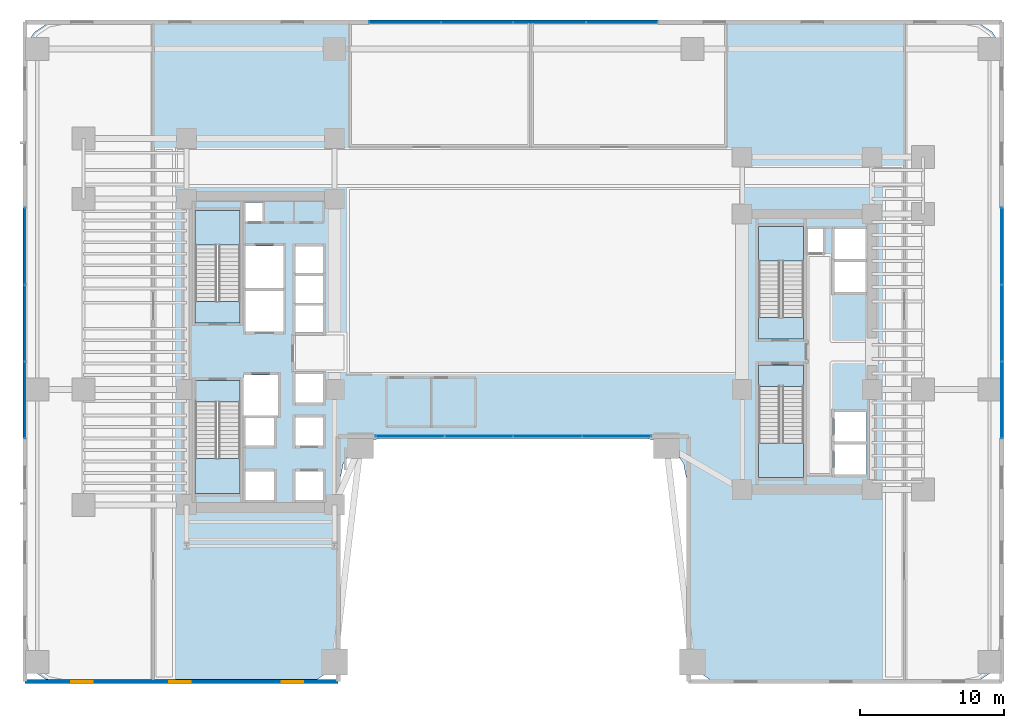
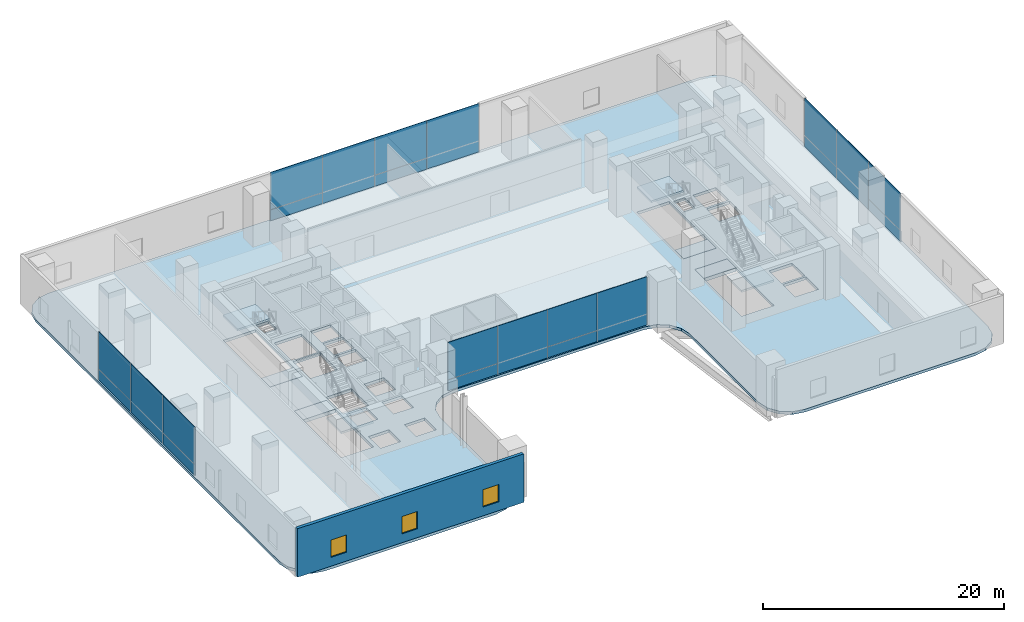
# One storey, part 25 of 39: 22 plates, 9 slabs, 3 windows, 1 wall, 3 openings, 8 elements without a shape of their own.
"""IFC4 building model written with IfcOpenShell, lengths in metres."""

from ifc_helpers import new_model, si_unit, direction, frame, frame_2d, origin, origin_2d, place, context, subcontext, project, spatial, polyline, rectangle, outline, extrude, source, transform, mapped, material, layer, layer_set, type_object, element, fill, aggregate, save


model = new_model("IFC4")

# Units and contexts
model_context = context("Model", 3, precision=1e-05, world=origin(), true_north=direction((0.0, 1.0)))
body_context = subcontext(model_context, "Body", "Model", "MODEL_VIEW")
ifc_project = project(units=[si_unit("LENGTHUNIT", "METRE"), si_unit("AREAUNIT", "SQUARE_METRE"), si_unit("VOLUMEUNIT", "CUBIC_METRE"), si_unit("PLANEANGLEUNIT", "RADIAN"), si_unit("MASSUNIT", "GRAM", prefix="KILO")], contexts=[model_context])

# Site, building, storey
site_placement = place(None, origin())
site = spatial("IfcSite", under=ifc_project, at=site_placement, CompositionType="ELEMENT")
building_placement = place(site_placement, origin())
building = spatial("IfcBuilding", under=site, at=building_placement, Name="Valdorenza Pilgrim Sanctuary Tower", CompositionType="ELEMENT")
storey_placement = place(building_placement, frame((0.0, 0.0, 5.199951171875)))
storey = spatial("IfcBuildingStorey", under=building, at=storey_placement, Name="L01", CompositionType="ELEMENT", Elevation=5.199951171875)

# Slab
ifc_material_1 = material(Name="Concrete C40/50", Category="concrete")
ifc_layer_1 = layer(ifc_material_1, 0.280029296875, Name="Concrete C40/50")
ifc_layer_set_1 = layer_set([ifc_layer_1], Name="Concrete C40/50")
slab_type_1 = type_object("IfcSlabType", Name="SLAB-POD-280", PredefinedType="FLOOR", material=ifc_layer_set_1)
slab_1_placement = place(storey_placement, frame((0.0, 0.0, -0.280029296875)))
element("IfcSlab", 1, at=slab_1_placement, inside=storey, type_object=slab_type_1, Name="L01 Structural Floor Slab 1", PredefinedType="FLOOR", context=body_context, shape_type="SweptSolid", body=[
    extrude(outline(polyline([(-34.0, 20.199951171875), (-33.786865234375, 21.271484375), (-33.179931640625, 22.179931640625), (-32.271484375, 22.786865234375), (-31.199951171875, 23.0), (31.199951171875, 23.0), (32.271484375, 22.786865234375), (33.179931640625, 22.179931640625), (33.786865234375, 21.271484375), (34.0, 20.199951171875), (34.0, -20.199951171875), (33.786865234375, -21.271484375), (33.179931640625, -22.179931640625), (32.271484375, -22.786865234375), (31.199951171875, -23.0), (14.800048828125, -23.0), (13.728515625, -22.786865234375), (12.820068359375, -22.179931640625), (12.213134765625, -21.271484375), (12.0, -20.199951171875), (12.0, -8.800048828125), (11.786865234375, -7.728515625), (11.179931640625, -6.820068359375), (10.271484375, -6.213134765625), (9.199951171875, -6.0), (-9.199951171875, -6.0), (-10.271484375, -6.213134765625), (-11.179931640625, -6.820068359375), (-11.786865234375, -7.728515625), (-12.0, -8.800048828125), (-12.0, -20.199951171875), (-12.213134765625, -21.271484375), (-12.820068359375, -22.179931640625), (-13.728515625, -22.786865234375), (-14.800048828125, -23.0), (-31.199951171875, -23.0), (-32.271484375, -22.786865234375), (-33.179931640625, -22.179931640625), (-33.786865234375, -21.271484375), (-34.0, -20.199951171875), (-34.0, 20.199951171875)]), holes=[polyline([(-16.60009765625, -10.25), (-16.60009765625, -8.300048828125), (-18.550048828125, -8.300048828125), (-18.550048828125, -10.25), (-16.60009765625, -10.25)]), polyline([(-22.050048828125, -9.800048828125), (-18.93994140625, -9.800048828125), (-18.93994140625, -3.485107421875), (-18.93994140625, -2.0), (-22.050048828125, -2.0), (-22.050048828125, -3.485107421875), (-22.050048828125, -9.800048828125)]), polyline([(-18.550048828125, -6.5), (-16.60009765625, -6.5), (-16.60009765625, -4.60009765625), (-18.550048828125, -4.60009765625), (-18.550048828125, -6.5)]), polyline([(-13.179931640625, -6.5), (-13.179931640625, -4.550048828125), (-15.10009765625, -4.550048828125), (-15.10009765625, -6.5), (-13.179931640625, -6.5)]), polyline([(-18.719970703125, -4.39990234375), (-16.300048828125, -4.39990234375), (-16.300048828125, -1.60009765625), (-18.719970703125, -1.60009765625), (-18.719970703125, -4.39990234375)]), polyline([(-13.179931640625, -3.5), (-13.179931640625, -1.550048828125), (-15.10009765625, -1.550048828125), (-15.10009765625, -3.5), (-13.179931640625, -3.5)]), polyline([(-22.050048828125, 2.0), (-18.93994140625, 2.0), (-18.93994140625, 3.485107421875), (-18.93994140625, 9.800048828125), (-22.050048828125, 9.800048828125), (-22.050048828125, 3.485107421875), (-22.050048828125, 2.0)]), polyline([(-18.550048828125, 1.39990234375), (-15.949951171875, 1.39990234375), (-15.949951171875, 4.22509765625), (-18.550048828125, 4.22509765625), (-18.550048828125, 1.39990234375)]), polyline([(-15.949951171875, 4.425048828125), (-15.949951171875, 7.35009765625), (-18.550048828125, 7.35009765625), (-18.550048828125, 4.425048828125), (-15.949951171875, 4.425048828125)]), polyline([(-15.10009765625, 5.449951171875), (-13.179931640625, 5.449951171875), (-13.179931640625, 7.300048828125), (-15.10009765625, 7.300048828125), (-15.10009765625, 5.449951171875)]), polyline([(-17.360107421875, 9.030029296875), (-17.360107421875, 10.35009765625), (-18.570068359375, 10.35009765625), (-18.570068359375, 9.030029296875), (-17.360107421875, 9.030029296875)]), polyline([(-15.10009765625, -10.25), (-13.179931640625, -10.25), (-13.179931640625, -8.300048828125), (-15.10009765625, -8.300048828125), (-15.10009765625, -10.25)]), polyline([(22.25, -8.5), (24.47998046875, -8.5), (24.47998046875, -6.425048828125), (22.25, -6.425048828125), (22.25, -8.5)]), polyline([(17.0, -2.385009765625), (17.0, -8.699951171875), (20.110107421875, -8.699951171875), (20.110107421875, -2.385009765625), (20.110107421875, -0.89990234375), (17.0, -0.89990234375), (17.0, -2.385009765625)]), polyline([(22.25, -6.22509765625), (24.47998046875, -6.22509765625), (24.47998046875, -4.14990234375), (22.25, -4.14990234375), (22.25, -6.22509765625)]), polyline([(17.0, 0.89990234375), (20.110107421875, 0.89990234375), (20.110107421875, 2.385009765625), (20.110107421875, 8.699951171875), (17.0, 8.699951171875), (17.0, 2.385009765625), (17.0, 0.89990234375)]), polyline([(-15.10009765625, 1.35009765625), (-13.179931640625, 1.35009765625), (-13.179931640625, 3.199951171875), (-15.10009765625, 3.199951171875), (-15.10009765625, 1.35009765625)]), polyline([(-15.10009765625, 3.39990234375), (-13.179931640625, 3.39990234375), (-13.179931640625, 5.25), (-15.10009765625, 5.25), (-15.10009765625, 3.39990234375)]), polyline([(22.25, 4.14990234375), (24.47998046875, 4.14990234375), (24.47998046875, 6.22509765625), (22.25, 6.22509765625), (22.25, 4.14990234375)]), polyline([(22.25, 6.425048828125), (24.47998046875, 6.425048828125), (24.47998046875, 8.5), (22.25, 8.5), (22.25, 6.425048828125)]), polyline([(20.409912109375, 6.860107421875), (21.489990234375, 6.860107421875), (21.489990234375, 8.52001953125), (20.409912109375, 8.52001953125), (20.409912109375, 6.860107421875)])]), origin(), (0.0, 0.0, 1.0), 0.280029296875),
])

# Stair, slab
stair_type = type_object("IfcStairType", Name="STR-DOG-CORE", PredefinedType="HALF_TURN_STAIR", material=ifc_material_1)
stair_1_placement = place(storey_placement, origin())
stair_1 = element("IfcStair", 2, at=stair_1_placement, inside=storey, type_object=stair_type, Name="L01 ST-A1", PredefinedType="HALF_TURN_STAIR")
ifc_layer_2 = layer(ifc_material_1, 0.199951171875, Name="Concrete C40/50")
ifc_layer_set_2 = layer_set([ifc_layer_2], Name="Concrete C40/50")
slab_type_2 = type_object("IfcSlabType", Name="SLAB-STL-200", PredefinedType="LANDING", material=ifc_layer_set_2)
slab_2_placement = place(storey_placement, frame((0.0, 0.0, 2.400146484375)))
slab_2 = element("IfcSlab", 3, at=slab_2_placement, type_object=slab_type_2, Name="ST-A1 landing 1", PredefinedType="LANDING", context=body_context, shape_type="SweptSolid", body=[
    extrude(outline(polyline([(-18.93994140625, 7.39990234375), (-18.93994140625, 9.800048828125), (-22.050048828125, 9.800048828125), (-22.050048828125, 7.39990234375), (-18.93994140625, 7.39990234375)])), origin(), (0.0, 0.0, 1.0), 0.199951171875),
])
aggregate(stair_1, [slab_2])

stair_2_placement = place(storey_placement, origin())
stair_2 = element("IfcStair", 4, at=stair_2_placement, inside=storey, type_object=stair_type, Name="L01 ST-A2", PredefinedType="HALF_TURN_STAIR")
slab_3_placement = place(storey_placement, frame((0.0, 0.0, 2.400146484375)))
slab_3 = element("IfcSlab", 5, at=slab_3_placement, type_object=slab_type_2, Name="ST-A2 landing 1", PredefinedType="LANDING", context=body_context, shape_type="SweptSolid", body=[
    extrude(outline(polyline([(-22.050048828125, -7.39990234375), (-22.050048828125, -9.800048828125), (-18.93994140625, -9.800048828125), (-18.93994140625, -7.39990234375), (-22.050048828125, -7.39990234375)])), origin(), (0.0, 0.0, 1.0), 0.199951171875),
])
aggregate(stair_2, [slab_3])

stair_3_placement = place(storey_placement, origin())
stair_3 = element("IfcStair", 6, at=stair_3_placement, inside=storey, type_object=stair_type, Name="L01 ST-B1", PredefinedType="HALF_TURN_STAIR")
slab_4_placement = place(storey_placement, frame((0.0, 0.0, 2.400146484375)))
slab_4 = element("IfcSlab", 7, at=slab_4_placement, type_object=slab_type_2, Name="ST-B1 landing 1", PredefinedType="LANDING", context=body_context, shape_type="SweptSolid", body=[
    extrude(outline(polyline([(20.110107421875, 6.300048828125), (20.110107421875, 8.699951171875), (17.0, 8.699951171875), (17.0, 6.300048828125), (20.110107421875, 6.300048828125)])), origin(), (0.0, 0.0, 1.0), 0.199951171875),
])
aggregate(stair_3, [slab_4])

stair_4_placement = place(storey_placement, origin())
stair_4 = element("IfcStair", 8, at=stair_4_placement, inside=storey, type_object=stair_type, Name="L01 ST-B2", PredefinedType="HALF_TURN_STAIR")
slab_5_placement = place(storey_placement, frame((0.0, 0.0, 2.400146484375)))
slab_5 = element("IfcSlab", 9, at=slab_5_placement, type_object=slab_type_2, Name="ST-B2 landing 1", PredefinedType="LANDING", context=body_context, shape_type="SweptSolid", body=[
    extrude(outline(polyline([(17.0, -6.300048828125), (17.0, -8.699951171875), (20.110107421875, -8.699951171875), (20.110107421875, -6.300048828125), (17.0, -6.300048828125)])), origin(), (0.0, 0.0, 1.0), 0.199951171875),
])
aggregate(stair_4, [slab_5])

# Slabs
ifc_material_2 = material(Name="Concrete C50/60", Category="concrete")
ifc_layer_3 = layer(ifc_material_2, 0.39990234375, Name="Concrete C50/60")
ifc_layer_set_3 = layer_set([ifc_layer_3], Name="Concrete C50/60")
slab_type_3 = type_object("IfcSlabType", Name="SLAB-TRF-400", PredefinedType="FLOOR", material=ifc_layer_set_3)
slab_6_placement = place(storey_placement, frame((0.0, 0.0, -0.35986328125)))
element("IfcSlab", 10, at=slab_6_placement, inside=storey, type_object=slab_type_3, Name="L01 ST-A1 Structural Stair Landing Bearing Slab", PredefinedType="FLOOR", context=body_context, shape_type="SweptSolid", body=[
    extrude(outline(polyline([(-22.050048828125, 2.0), (-18.93994140625, 2.0), (-18.93994140625, 3.485107421875), (-22.050048828125, 3.485107421875), (-22.050048828125, 2.0)])), origin(), (0.0, 0.0, 1.0), 0.35986328125),
])
slab_7_placement = place(storey_placement, frame((0.0, 0.0, -0.35986328125)))
element("IfcSlab", 11, at=slab_7_placement, inside=storey, type_object=slab_type_3, Name="L01 ST-A2 Structural Stair Landing Bearing Slab", PredefinedType="FLOOR", context=body_context, shape_type="SweptSolid", body=[
    extrude(outline(polyline([(-22.050048828125, -3.485107421875), (-18.93994140625, -3.485107421875), (-18.93994140625, -2.0), (-22.050048828125, -2.0), (-22.050048828125, -3.485107421875)])), origin(), (0.0, 0.0, 1.0), 0.35986328125),
])
slab_8_placement = place(storey_placement, frame((0.0, 0.0, -0.35986328125)))
element("IfcSlab", 12, at=slab_8_placement, inside=storey, type_object=slab_type_3, Name="L01 ST-B1 Structural Stair Landing Bearing Slab", PredefinedType="FLOOR", context=body_context, shape_type="SweptSolid", body=[
    extrude(outline(polyline([(17.0, 0.89990234375), (20.110107421875, 0.89990234375), (20.110107421875, 2.385009765625), (17.0, 2.385009765625), (17.0, 0.89990234375)])), origin(), (0.0, 0.0, 1.0), 0.35986328125),
])
slab_9_placement = place(storey_placement, frame((0.0, 0.0, -0.35986328125)))
element("IfcSlab", 13, at=slab_9_placement, inside=storey, type_object=slab_type_3, Name="L01 ST-B2 Structural Stair Landing Bearing Slab", PredefinedType="FLOOR", context=body_context, shape_type="SweptSolid", body=[
    extrude(outline(polyline([(17.0, -2.385009765625), (20.110107421875, -2.385009765625), (20.110107421875, -0.89990234375), (17.0, -0.89990234375), (17.0, -2.385009765625)])), origin(), (0.0, 0.0, 1.0), 0.35986328125),
])

# Curtain wall, plates
ifc_material_3 = material(Name="Curtain-wall IGU glazing", Category="glass")
curtain_wall_type = type_object("IfcCurtainWallType", Name="CW-SYS-01", PredefinedType="NOTDEFINED", material=ifc_material_3)
curtain_wall_1_placement = place(storey_placement, origin())
curtain_wall_1 = element("IfcCurtainWall", 14, at=curtain_wall_1_placement, inside=storey, type_object=curtain_wall_type, Name="L01 Curtain Wall CW-POD-L01-WW", PredefinedType="NOTDEFINED")
ifc_material_4 = material(Name="Honed travertine limestone", Category="masonry")
ifc_layer_4 = layer(ifc_material_4, 0.050048828125, Name="Honed travertine limestone")
ifc_layer_set_4 = layer_set([ifc_layer_4], Name="Honed travertine limestone")
plate_type_1 = type_object("IfcPlateType", Name="CW-SPN-TRV", PredefinedType="USERDEFINED", material=ifc_layer_set_4)
shared_shape_1 = source(origin(), body_context, "Body", "SweptSolid", [
    extrude(rectangle(XDim=5.313232421875, YDim=0.06005859375, at=origin_2d()), origin(), (0.0, 0.0, 1.0), 1.10009765625),
])
plate_1_placement = place(storey_placement, frame((-33.85009765625, -3.333251953125, 0.010009765625), z_axis=(0.0, 0.0, 1.0), x_axis=(0.0, 1.0, 0.0)))
plate_1 = element("IfcPlate", 15, at=plate_1_placement, type_object=plate_type_1, Name="CW-POD-L01-WW Travertine Spandrel 1", ObjectType="SPANDREL", PredefinedType="USERDEFINED", context=body_context, shape_type="MappedRepresentation", body=[
    mapped(shared_shape_1, transform((0.0, 0.0, 0.0), x_axis=(1.0, 0.0, 0.0), y_axis=(0.0, 1.0, 0.0), z_axis=(0.0, 0.0, 1.0), scale=1.0)),
])
plate_2_placement = place(storey_placement, frame((-33.85009765625, 7.333251953125, 0.010009765625), z_axis=(0.0, 0.0, 1.0), x_axis=(0.0, 1.0, 0.0)))
plate_2 = element("IfcPlate", 16, at=plate_2_placement, type_object=plate_type_1, Name="CW-POD-L01-WW Travertine Spandrel 3", ObjectType="SPANDREL", PredefinedType="USERDEFINED", context=body_context, shape_type="MappedRepresentation", body=[
    mapped(shared_shape_1, transform((0.0, 0.0, 0.0), x_axis=(1.0, 0.0, 0.0), y_axis=(0.0, 1.0, 0.0), z_axis=(0.0, 0.0, 1.0), scale=1.0)),
])

curtain_wall_2_placement = place(storey_placement, origin())
curtain_wall_2 = element("IfcCurtainWall", 17, at=curtain_wall_2_placement, inside=storey, type_object=curtain_wall_type, Name="L01 Curtain Wall CW-POD-L01-EE", PredefinedType="NOTDEFINED")
plate_3_placement = place(storey_placement, frame((33.85009765625, -3.333251953125, 0.010009765625), z_axis=(0.0, 0.0, 1.0), x_axis=(0.0, 1.0, 0.0)))
plate_3 = element("IfcPlate", 18, at=plate_3_placement, type_object=plate_type_1, Name="CW-POD-L01-EE Travertine Spandrel 1", ObjectType="SPANDREL", PredefinedType="USERDEFINED", context=body_context, shape_type="MappedRepresentation", body=[
    mapped(shared_shape_1, transform((0.0, 0.0, 0.0), x_axis=(1.0, 0.0, 0.0), y_axis=(0.0, 1.0, 0.0), z_axis=(0.0, 0.0, 1.0), scale=1.0)),
])
plate_4_placement = place(storey_placement, frame((33.85009765625, 7.333251953125, 0.010009765625), z_axis=(0.0, 0.0, 1.0), x_axis=(0.0, 1.0, 0.0)))
plate_4 = element("IfcPlate", 19, at=plate_4_placement, type_object=plate_type_1, Name="CW-POD-L01-EE Travertine Spandrel 3", ObjectType="SPANDREL", PredefinedType="USERDEFINED", context=body_context, shape_type="MappedRepresentation", body=[
    mapped(shared_shape_1, transform((0.0, 0.0, 0.0), x_axis=(1.0, 0.0, 0.0), y_axis=(0.0, 1.0, 0.0), z_axis=(0.0, 0.0, 1.0), scale=1.0)),
])

# Plate
ifc_material_5 = material(Name="Ceramic-fritted low-E IGU glazing", Category="glass")
ifc_layer_5 = layer(ifc_material_5, 0.035888671875, Name="Ceramic-fritted low-E IGU glazing")
ifc_layer_set_5 = layer_set([ifc_layer_5], Name="Ceramic-fritted low-E IGU glazing")
plate_type_2 = type_object("IfcPlateType", Name="CW-GLZ-IGU", PredefinedType="USERDEFINED", material=ifc_layer_set_5)
shared_shape_2 = source(origin(), body_context, "Body", "SweptSolid", [
    extrude(rectangle(XDim=5.313232421875, YDim=0.050048828125, at=origin_2d()), origin(), (0.0, 0.0, 1.0), 3.780029296875),
])
plate_5_placement = place(storey_placement, frame((-33.85009765625, -3.333251953125, 1.1298828125), z_axis=(0.0, 0.0, 1.0), x_axis=(0.0, 1.0, 0.0)))
plate_5 = element("IfcPlate", 20, at=plate_5_placement, type_object=plate_type_2, Name="CW-POD-L01-WW Facade Panel 1", ObjectType="GLAZING", PredefinedType="USERDEFINED", context=body_context, shape_type="MappedRepresentation", body=[
    mapped(shared_shape_2, transform((0.0, 0.0, 0.0), x_axis=(1.0, 0.0, 0.0), y_axis=(0.0, 1.0, 0.0), z_axis=(0.0, 0.0, 1.0), scale=1.0)),
])

plate_6_placement = place(storey_placement, frame((-33.85009765625, 7.333251953125, 1.1298828125), z_axis=(0.0, 0.0, 1.0), x_axis=(0.0, 1.0, 0.0)))
plate_6 = element("IfcPlate", 21, at=plate_6_placement, type_object=plate_type_2, Name="CW-POD-L01-WW Facade Panel 3", ObjectType="GLAZING", PredefinedType="USERDEFINED", context=body_context, shape_type="MappedRepresentation", body=[
    mapped(shared_shape_2, transform((0.0, 0.0, 0.0), x_axis=(1.0, 0.0, 0.0), y_axis=(0.0, 1.0, 0.0), z_axis=(0.0, 0.0, 1.0), scale=1.0)),
])

plate_7_placement = place(storey_placement, frame((33.85009765625, -3.333251953125, 1.1298828125), z_axis=(0.0, 0.0, 1.0), x_axis=(0.0, 1.0, 0.0)))
plate_7 = element("IfcPlate", 22, at=plate_7_placement, type_object=plate_type_2, Name="CW-POD-L01-EE Facade Panel 1", ObjectType="GLAZING", PredefinedType="USERDEFINED", context=body_context, shape_type="MappedRepresentation", body=[
    mapped(shared_shape_2, transform((0.0, 0.0, 0.0), x_axis=(1.0, 0.0, 0.0), y_axis=(0.0, 1.0, 0.0), z_axis=(0.0, 0.0, 1.0), scale=1.0)),
])

plate_8_placement = place(storey_placement, frame((33.85009765625, 7.333251953125, 1.1298828125), z_axis=(0.0, 0.0, 1.0), x_axis=(0.0, 1.0, 0.0)))
plate_8 = element("IfcPlate", 23, at=plate_8_placement, type_object=plate_type_2, Name="CW-POD-L01-EE Facade Panel 3", ObjectType="GLAZING", PredefinedType="USERDEFINED", context=body_context, shape_type="MappedRepresentation", body=[
    mapped(shared_shape_2, transform((0.0, 0.0, 0.0), x_axis=(1.0, 0.0, 0.0), y_axis=(0.0, 1.0, 0.0), z_axis=(0.0, 0.0, 1.0), scale=1.0)),
])

shared_shape_3 = source(origin(), body_context, "Body", "SweptSolid", [
    extrude(rectangle(XDim=5.313232421875, YDim=0.050048828125, at=origin_2d()), origin(), (0.0, 0.0, 1.0), 4.89990234375),
])
plate_9_placement = place(storey_placement, frame((-33.85009765625, 2.0, 0.010009765625), z_axis=(0.0, 0.0, 1.0), x_axis=(0.0, 1.0, 0.0)))
plate_9 = element("IfcPlate", 24, at=plate_9_placement, type_object=plate_type_2, Name="CW-POD-L01-WW Full-Height Facade Panel 2", ObjectType="GLAZING", PredefinedType="USERDEFINED", context=body_context, shape_type="MappedRepresentation", body=[
    mapped(shared_shape_3, transform((0.0, 0.0, 0.0), x_axis=(1.0, 0.0, 0.0), y_axis=(0.0, 1.0, 0.0), z_axis=(0.0, 0.0, 1.0), scale=1.0)),
])

aggregate(curtain_wall_1, [plate_1, plate_5, plate_9, plate_2, plate_6])

plate_10_placement = place(storey_placement, frame((33.85009765625, 2.0, 0.010009765625), z_axis=(0.0, 0.0, 1.0), x_axis=(0.0, 1.0, 0.0)))
plate_10 = element("IfcPlate", 25, at=plate_10_placement, type_object=plate_type_2, Name="CW-POD-L01-EE Full-Height Facade Panel 2", ObjectType="GLAZING", PredefinedType="USERDEFINED", context=body_context, shape_type="MappedRepresentation", body=[
    mapped(shared_shape_3, transform((0.0, 0.0, 0.0), x_axis=(1.0, 0.0, 0.0), y_axis=(0.0, 1.0, 0.0), z_axis=(0.0, 0.0, 1.0), scale=1.0)),
])

aggregate(curtain_wall_2, [plate_3, plate_7, plate_10, plate_4, plate_8])

# Curtain wall, plates
curtain_wall_3_placement = place(storey_placement, origin())
curtain_wall_3 = element("IfcCurtainWall", 26, at=curtain_wall_3_placement, inside=storey, type_object=curtain_wall_type, Name="L01 Curtain Wall CW-POD-L01-ARCH-BACK", PredefinedType="NOTDEFINED")
shared_shape_4 = source(origin(), body_context, "Body", "SweptSolid", [
    extrude(rectangle(XDim=4.7548828125, YDim=0.06005859375, at=origin_2d()), origin(), (0.0, 0.0, 1.0), 1.10009765625),
])
plate_11_placement = place(storey_placement, frame((-7.16259765625, -5.85009765625, 0.010009765625), z_axis=(0.0, 0.0, 1.0), x_axis=(1.0, 0.0, 0.0)))
plate_11 = element("IfcPlate", 27, at=plate_11_placement, type_object=plate_type_1, Name="CW-POD-L01-ARCH-BACK Travertine Spandrel 1", ObjectType="SPANDREL", PredefinedType="USERDEFINED", context=body_context, shape_type="MappedRepresentation", body=[
    mapped(shared_shape_4, transform((0.0, 0.0, 0.0), x_axis=(1.0, 0.0, 0.0), y_axis=(0.0, 1.0, 0.0), z_axis=(0.0, 0.0, 1.0), scale=1.0)),
])
plate_12_placement = place(storey_placement, frame((2.387451171875, -5.85009765625, 0.010009765625), z_axis=(0.0, 0.0, 1.0), x_axis=(1.0, 0.0, 0.0)))
plate_12 = element("IfcPlate", 28, at=plate_12_placement, type_object=plate_type_1, Name="CW-POD-L01-ARCH-BACK Travertine Spandrel 3", ObjectType="SPANDREL", PredefinedType="USERDEFINED", context=body_context, shape_type="MappedRepresentation", body=[
    mapped(shared_shape_4, transform((0.0, 0.0, 0.0), x_axis=(1.0, 0.0, 0.0), y_axis=(0.0, 1.0, 0.0), z_axis=(0.0, 0.0, 1.0), scale=1.0)),
])
shared_shape_5 = source(origin(), body_context, "Body", "SweptSolid", [
    extrude(rectangle(XDim=4.7548828125, YDim=0.050048828125, at=origin_2d()), origin(), (0.0, 0.0, 1.0), 3.780029296875),
])
plate_13_placement = place(storey_placement, frame((-7.16259765625, -5.85009765625, 1.1298828125), z_axis=(0.0, 0.0, 1.0), x_axis=(1.0, 0.0, 0.0)))
plate_13 = element("IfcPlate", 29, at=plate_13_placement, type_object=plate_type_2, Name="CW-POD-L01-ARCH-BACK Facade Panel 1", ObjectType="GLAZING", PredefinedType="USERDEFINED", context=body_context, shape_type="MappedRepresentation", body=[
    mapped(shared_shape_5, transform((0.0, 0.0, 0.0), x_axis=(1.0, 0.0, 0.0), y_axis=(0.0, 1.0, 0.0), z_axis=(0.0, 0.0, 1.0), scale=1.0)),
])
plate_14_placement = place(storey_placement, frame((2.387451171875, -5.85009765625, 1.1298828125), z_axis=(0.0, 0.0, 1.0), x_axis=(1.0, 0.0, 0.0)))
plate_14 = element("IfcPlate", 30, at=plate_14_placement, type_object=plate_type_2, Name="CW-POD-L01-ARCH-BACK Facade Panel 3", ObjectType="GLAZING", PredefinedType="USERDEFINED", context=body_context, shape_type="MappedRepresentation", body=[
    mapped(shared_shape_5, transform((0.0, 0.0, 0.0), x_axis=(1.0, 0.0, 0.0), y_axis=(0.0, 1.0, 0.0), z_axis=(0.0, 0.0, 1.0), scale=1.0)),
])
shared_shape_6 = source(origin(), body_context, "Body", "SweptSolid", [
    extrude(rectangle(XDim=4.7548828125, YDim=0.050048828125, at=origin_2d()), origin(), (0.0, 0.0, 1.0), 4.89990234375),
])
plate_15_placement = place(storey_placement, frame((-2.387451171875, -5.85009765625, 0.010009765625), z_axis=(0.0, 0.0, 1.0), x_axis=(1.0, 0.0, 0.0)))
plate_15 = element("IfcPlate", 31, at=plate_15_placement, type_object=plate_type_2, Name="CW-POD-L01-ARCH-BACK Full-Height Facade Panel 2", ObjectType="GLAZING", PredefinedType="USERDEFINED", context=body_context, shape_type="MappedRepresentation", body=[
    mapped(shared_shape_6, transform((0.0, 0.0, 0.0), x_axis=(1.0, 0.0, 0.0), y_axis=(0.0, 1.0, 0.0), z_axis=(0.0, 0.0, 1.0), scale=1.0)),
])
plate_16_placement = place(storey_placement, frame((7.16259765625, -5.85009765625, 0.010009765625), z_axis=(0.0, 0.0, 1.0), x_axis=(1.0, 0.0, 0.0)))
plate_16 = element("IfcPlate", 32, at=plate_16_placement, type_object=plate_type_2, Name="CW-POD-L01-ARCH-BACK Full-Height Facade Panel 4", ObjectType="GLAZING", PredefinedType="USERDEFINED", context=body_context, shape_type="MappedRepresentation", body=[
    mapped(shared_shape_6, transform((0.0, 0.0, 0.0), x_axis=(1.0, 0.0, 0.0), y_axis=(0.0, 1.0, 0.0), z_axis=(0.0, 0.0, 1.0), scale=1.0)),
])
aggregate(curtain_wall_3, [plate_11, plate_13, plate_15, plate_12, plate_14, plate_16])

curtain_wall_4_placement = place(storey_placement, origin())
curtain_wall_4 = element("IfcCurtainWall", 33, at=curtain_wall_4_placement, inside=storey, type_object=curtain_wall_type, Name="L01 Curtain Wall CW-POD-L01-NN", PredefinedType="NOTDEFINED")
shared_shape_7 = source(origin(), body_context, "Body", "SweptSolid", [
    extrude(rectangle(XDim=4.97998046875, YDim=0.06005859375, at=origin_2d()), origin(), (0.0, 0.0, 1.0), 1.10009765625),
])
plate_17_placement = place(storey_placement, frame((-7.5, 22.85009765625, 0.010009765625), z_axis=(0.0, 0.0, 1.0), x_axis=(1.0, 0.0, 0.0)))
plate_17 = element("IfcPlate", 34, at=plate_17_placement, type_object=plate_type_1, Name="CW-POD-L01-NN Travertine Spandrel 1", ObjectType="SPANDREL", PredefinedType="USERDEFINED", context=body_context, shape_type="MappedRepresentation", body=[
    mapped(shared_shape_7, transform((0.0, 0.0, 0.0), x_axis=(1.0, 0.0, 0.0), y_axis=(0.0, 1.0, 0.0), z_axis=(0.0, 0.0, 1.0), scale=1.0)),
])
plate_18_placement = place(storey_placement, frame((2.5, 22.85009765625, 0.010009765625), z_axis=(0.0, 0.0, 1.0), x_axis=(1.0, 0.0, 0.0)))
plate_18 = element("IfcPlate", 35, at=plate_18_placement, type_object=plate_type_1, Name="CW-POD-L01-NN Travertine Spandrel 3", ObjectType="SPANDREL", PredefinedType="USERDEFINED", context=body_context, shape_type="MappedRepresentation", body=[
    mapped(shared_shape_7, transform((0.0, 0.0, 0.0), x_axis=(1.0, 0.0, 0.0), y_axis=(0.0, 1.0, 0.0), z_axis=(0.0, 0.0, 1.0), scale=1.0)),
])
shared_shape_8 = source(origin(), body_context, "Body", "SweptSolid", [
    extrude(rectangle(XDim=4.97998046875, YDim=0.050048828125, at=origin_2d()), origin(), (0.0, 0.0, 1.0), 3.780029296875),
])
plate_19_placement = place(storey_placement, frame((-7.5, 22.85009765625, 1.1298828125), z_axis=(0.0, 0.0, 1.0), x_axis=(1.0, 0.0, 0.0)))
plate_19 = element("IfcPlate", 36, at=plate_19_placement, type_object=plate_type_2, Name="CW-POD-L01-NN Facade Panel 1", ObjectType="GLAZING", PredefinedType="USERDEFINED", context=body_context, shape_type="MappedRepresentation", body=[
    mapped(shared_shape_8, transform((0.0, 0.0, 0.0), x_axis=(1.0, 0.0, 0.0), y_axis=(0.0, 1.0, 0.0), z_axis=(0.0, 0.0, 1.0), scale=1.0)),
])
plate_20_placement = place(storey_placement, frame((2.5, 22.85009765625, 1.1298828125), z_axis=(0.0, 0.0, 1.0), x_axis=(1.0, 0.0, 0.0)))
plate_20 = element("IfcPlate", 37, at=plate_20_placement, type_object=plate_type_2, Name="CW-POD-L01-NN Facade Panel 3", ObjectType="GLAZING", PredefinedType="USERDEFINED", context=body_context, shape_type="MappedRepresentation", body=[
    mapped(shared_shape_8, transform((0.0, 0.0, 0.0), x_axis=(1.0, 0.0, 0.0), y_axis=(0.0, 1.0, 0.0), z_axis=(0.0, 0.0, 1.0), scale=1.0)),
])
shared_shape_9 = source(origin(), body_context, "Body", "SweptSolid", [
    extrude(rectangle(XDim=4.97998046875, YDim=0.050048828125, at=origin_2d()), origin(), (0.0, 0.0, 1.0), 4.89990234375),
])
plate_21_placement = place(storey_placement, frame((-2.5, 22.85009765625, 0.010009765625), z_axis=(0.0, 0.0, 1.0), x_axis=(1.0, 0.0, 0.0)))
plate_21 = element("IfcPlate", 38, at=plate_21_placement, type_object=plate_type_2, Name="CW-POD-L01-NN Full-Height Facade Panel 2", ObjectType="GLAZING", PredefinedType="USERDEFINED", context=body_context, shape_type="MappedRepresentation", body=[
    mapped(shared_shape_9, transform((0.0, 0.0, 0.0), x_axis=(1.0, 0.0, 0.0), y_axis=(0.0, 1.0, 0.0), z_axis=(0.0, 0.0, 1.0), scale=1.0)),
])
plate_22_placement = place(storey_placement, frame((7.5, 22.85009765625, 0.010009765625), z_axis=(0.0, 0.0, 1.0), x_axis=(1.0, 0.0, 0.0)))
plate_22 = element("IfcPlate", 39, at=plate_22_placement, type_object=plate_type_2, Name="CW-POD-L01-NN Full-Height Facade Panel 4", ObjectType="GLAZING", PredefinedType="USERDEFINED", context=body_context, shape_type="MappedRepresentation", body=[
    mapped(shared_shape_9, transform((0.0, 0.0, 0.0), x_axis=(1.0, 0.0, 0.0), y_axis=(0.0, 1.0, 0.0), z_axis=(0.0, 0.0, 1.0), scale=1.0)),
])
aggregate(curtain_wall_4, [plate_17, plate_19, plate_21, plate_18, plate_20, plate_22])

# Wall, openings, windows
ifc_layer_6 = layer(ifc_material_4, 0.300048828125, Name="Honed travertine limestone")
ifc_layer_set_6 = layer_set([ifc_layer_6], Name="Honed travertine limestone")
wall_type = type_object("IfcWallType", Name="WAL-EXT-300", PredefinedType="SOLIDWALL", material=ifc_layer_set_6)
wall_placement = place(storey_placement, frame((-33.85009765625, -22.85009765625, 0.0), z_axis=(0.0, 0.0, 1.0), x_axis=(1.0, 0.0, 0.0)))
wall = element("IfcWall", 40, at=wall_placement, inside=storey, type_object=wall_type, Name="L01 Podium Honed Travertine Stone Wall S-W", PredefinedType="SOLIDWALL", context=body_context, shape_type="SweptSolid", body=[
    extrude(rectangle(XDim=21.7001953125, YDim=0.300048828125, at=frame_2d((10.85009765625, 0.0))), origin(), (0.0, 0.0, 1.0), 4.920166015625),
])
opening_1_placement = place(wall_placement, frame((3.199951171875, 0.0, 0.89990234375)))
opening_1 = element("IfcOpeningElement", 41, at=opening_1_placement, cuts=wall, Name="Opening WN-VS1", PredefinedType="OPENING", context=body_context, shape_type="SweptSolid", body=[
    extrude(rectangle(XDim=1.5, YDim=1.75, at=frame_2d((0.75, 0.875))), frame((0.0, 0.1650390625, 0.0), z_axis=(0.0, -1.0, 0.0), x_axis=(1.0, 0.0, 0.0)), (0.0, 0.0, 1.0), 0.329833984375),
])
opening_2_placement = place(wall_placement, frame((10.0, 0.0, 0.89990234375)))
opening_2 = element("IfcOpeningElement", 42, at=opening_2_placement, cuts=wall, Name="Opening WN-VS1", PredefinedType="OPENING", context=body_context, shape_type="SweptSolid", body=[
    extrude(rectangle(XDim=1.5, YDim=1.75, at=frame_2d((0.75, 0.875))), frame((0.0, 0.1650390625, 0.0), z_axis=(0.0, -1.0, 0.0), x_axis=(1.0, 0.0, 0.0)), (0.0, 0.0, 1.0), 0.329833984375),
])
opening_3_placement = place(wall_placement, frame((17.800048828125, 0.0, 0.89990234375)))
opening_3 = element("IfcOpeningElement", 43, at=opening_3_placement, cuts=wall, Name="Opening WN-VS1", PredefinedType="OPENING", context=body_context, shape_type="SweptSolid", body=[
    extrude(rectangle(XDim=1.5, YDim=1.75, at=frame_2d((0.75, 0.875))), frame((0.0, 0.1650390625, 0.0), z_axis=(0.0, -1.0, 0.0), x_axis=(1.0, 0.0, 0.0)), (0.0, 0.0, 1.0), 0.329833984375),
])
window_type = type_object("IfcWindowType", Name="WIN-VIS-1500", PartitioningType="SINGLE_PANEL", PredefinedType="WINDOW", material=ifc_material_5)
window_1_placement = place(opening_1_placement, origin())
window_1 = element("IfcWindow", 44, at=window_1_placement, inside=storey, type_object=window_type, Name="L01 Podium Stone Vision Window S-W-1", OverallHeight=1.75, OverallWidth=1.5, PartitioningType="SINGLE_PANEL", PredefinedType="WINDOW", context=body_context, shape_type="SweptSolid", body=[
    extrude(rectangle(XDim=1.5, YDim=1.75, at=frame_2d((0.75, 0.875))), frame((0.0, 0.030029296875, 0.0), z_axis=(0.0, -1.0, 0.0), x_axis=(1.0, 0.0, 0.0)), (0.0, 0.0, 1.0), 0.06005859375),
])
fill(opening_1, window_1)
window_2_placement = place(opening_2_placement, origin())
window_2 = element("IfcWindow", 45, at=window_2_placement, inside=storey, type_object=window_type, Name="L01 Podium Stone Vision Window S-W-2", OverallHeight=1.75, OverallWidth=1.5, PartitioningType="SINGLE_PANEL", PredefinedType="WINDOW", context=body_context, shape_type="SweptSolid", body=[
    extrude(rectangle(XDim=1.5, YDim=1.75, at=frame_2d((0.75, 0.875))), frame((0.0, 0.030029296875, 0.0), z_axis=(0.0, -1.0, 0.0), x_axis=(1.0, 0.0, 0.0)), (0.0, 0.0, 1.0), 0.06005859375),
])
fill(opening_2, window_2)
window_3_placement = place(opening_3_placement, origin())
window_3 = element("IfcWindow", 46, at=window_3_placement, inside=storey, type_object=window_type, Name="L01 Podium Stone Vision Window S-W-3", OverallHeight=1.75, OverallWidth=1.5, PartitioningType="SINGLE_PANEL", PredefinedType="WINDOW", context=body_context, shape_type="SweptSolid", body=[
    extrude(rectangle(XDim=1.5, YDim=1.75, at=frame_2d((0.75, 0.875))), frame((0.0, 0.030029296875, 0.0), z_axis=(0.0, -1.0, 0.0), x_axis=(1.0, 0.0, 0.0)), (0.0, 0.0, 1.0), 0.06005859375),
])
fill(opening_3, window_3)

save(model, "model.ifc")
